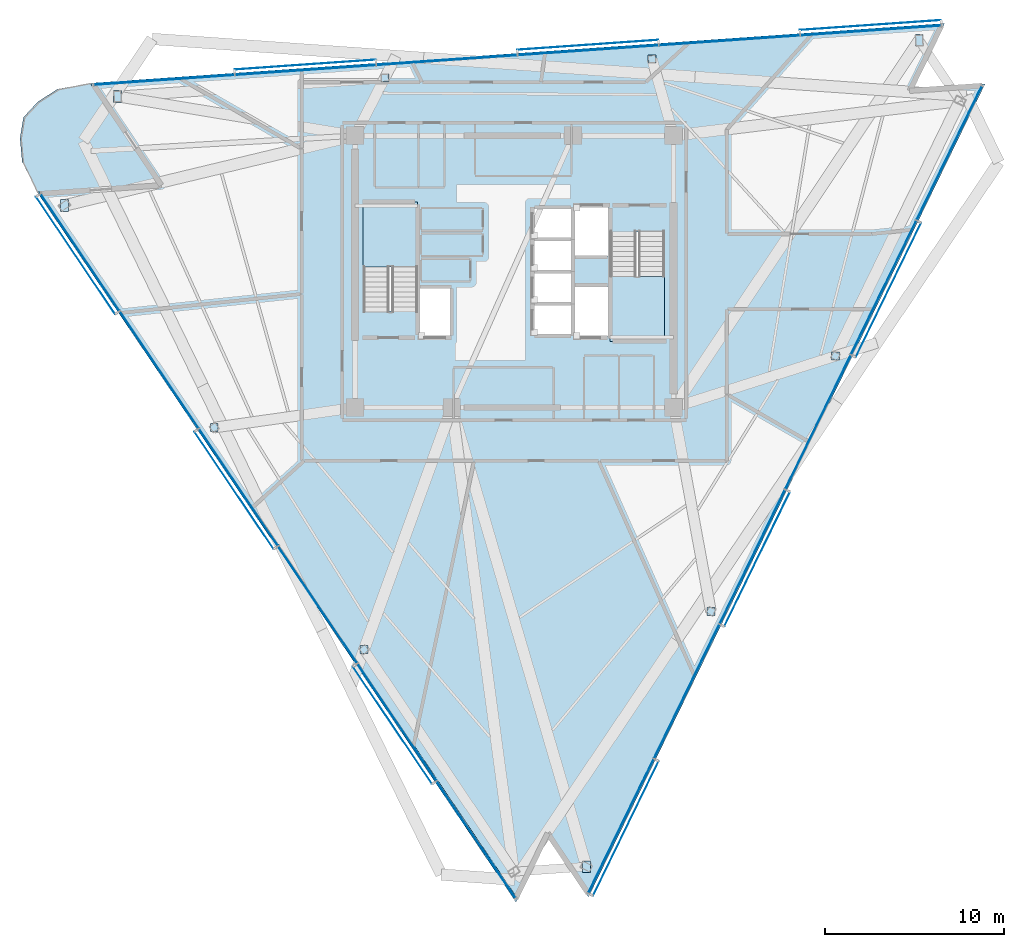
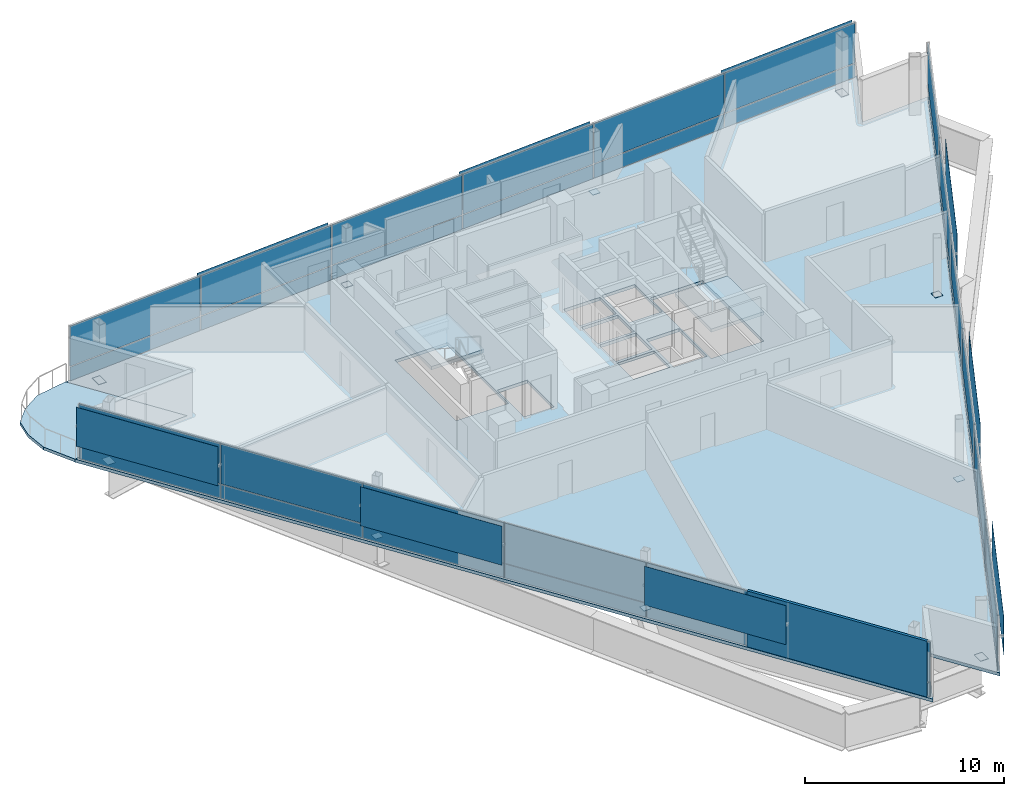
# One storey, part 9 of 17: 55 plates, 4 slabs, 1 wall, 5 elements without a shape of their own.
"""IFC4 building model written with IfcOpenShell, lengths in metres."""

from ifc_helpers import new_model, si_unit, direction, frame, frame_2d, origin, origin_2d, place, context, subcontext, project, spatial, polyline, rectangle, outline, extrude, material, layer, layer_set, type_object, element, aggregate, save


model = new_model("IFC4")

# Units and contexts
model_context = context("Model", 3, precision=1e-05, world=origin(), true_north=direction((0.0, 1.0)))
body_context = subcontext(model_context, "Body", "Model", "MODEL_VIEW")
ifc_project = project(units=[si_unit("LENGTHUNIT", "METRE"), si_unit("AREAUNIT", "SQUARE_METRE"), si_unit("VOLUMEUNIT", "CUBIC_METRE"), si_unit("PLANEANGLEUNIT", "RADIAN"), si_unit("MASSUNIT", "GRAM", prefix="KILO")], contexts=[model_context])

# Site, building, storey
site_placement = place(None, origin())
site = spatial("IfcSite", under=ifc_project, at=site_placement, CompositionType="ELEMENT")
building_placement = place(site_placement, origin())
building = spatial("IfcBuilding", under=site, at=building_placement, Name="Tharavind Bronze Gate", CompositionType="ELEMENT")
storey_placement = place(building_placement, frame((0.0, 0.0, 253.39990234375)))
storey = spatial("IfcBuildingStorey", under=building, at=storey_placement, Name="L65", CompositionType="ELEMENT", Elevation=253.39990234375)

# Plates
ifc_material_1 = material(Name="Perforated Bronze Alloy", Category="bronze")
ifc_layer_1 = layer(ifc_material_1, 0.011962890625)
ifc_layer_set_1 = layer_set([ifc_layer_1], Name="Perforated Bronze Alloy")
plate_type_1 = type_object("IfcPlateType", Name="BRONZE PERFORATED SOLAR SCREEN", PredefinedType="USERDEFINED", material=ifc_layer_set_1)
for number, where, z_axis, x_axis, name in (
    (1, (-24.528076171875, 0.904052734375, 0.966796875), (0.0, 0.0, 1.0), (0.559191456526, -0.82903854853, 0.0), "CW-L65-S1 perforated bronze solar screen 1"),
    (2, (-15.670166015625, -12.228515625, 0.966796875), (0.0, 0.0, 1.0), (0.559191456526, -0.82903854853, 0.0), "CW-L65-S1 perforated bronze solar screen 3"),
    (3, (-6.812255859375, -25.361083984375, 0.966796875), (0.0, 0.0, 1.0), (0.559191456526, -0.82903854853, 0.0), "CW-L65-S1 perforated bronze solar screen 5"),
):
    element("IfcPlate", number, at=place(storey_placement, frame(where, z_axis=z_axis, x_axis=x_axis)), inside=storey, type_object=plate_type_1, Name=name, ObjectType="SCREEN", PredefinedType="USERDEFINED", context=body_context, shape_type="SweptSolid", body=[
        extrude(rectangle(XDim=7.900390625, YDim=0.011962890625, at=origin_2d()), origin(), (0.0, 0.0, 1.0), 2.386962890625),
    ])
for number, where, z_axis, x_axis, name in (
    (4, (6.234130859375, -31.12841796875, 0.966796875), (0.0, 0.0, 1.0), (0.43837271548, 0.898793281196, 0.0), "CW-L65-S2 perforated bronze solar screen 1"),
    (5, (13.57470703125, -16.078369140625, 0.966796875), (0.0, 0.0, 1.0), (0.43837271548, 0.898793281196, 0.0), "CW-L65-S2 perforated bronze solar screen 3"),
    (6, (20.9150390625, -1.0283203125, 0.966796875), (0.0, 0.0, 1.0), (0.43837271548, 0.898793281196, 0.0), "CW-L65-S2 perforated bronze solar screen 5"),
):
    element("IfcPlate", number, at=place(storey_placement, frame(where, z_axis=z_axis, x_axis=x_axis)), inside=storey, type_object=plate_type_1, Name=name, ObjectType="SCREEN", PredefinedType="USERDEFINED", context=body_context, shape_type="SweptSolid", body=[
        extrude(rectangle(XDim=8.352294921875, YDim=0.011962890625, at=origin_2d()), origin(), (0.0, 0.0, 1.0), 2.386962890625),
    ])
for number, where, z_axis, x_axis, name in (
    (7, (19.909423828125, 13.779052734375, 0.966796875), (0.0, 0.0, 1.0), (-0.997563806758, -0.069759955899, 0.0), "CW-L65-S3 perforated bronze solar screen 1"),
    (8, (4.107421875, 12.674072265625, 0.966796875), (0.0, 0.0, 1.0), (-0.997563806758, -0.069759955899, 0.0), "CW-L65-S3 perforated bronze solar screen 3"),
    (9, (-11.69482421875, 11.569091796875, 0.966796875), (0.0, 0.0, 1.0), (-0.997563806758, -0.069759955899, 0.0), "CW-L65-S3 perforated bronze solar screen 5"),
):
    element("IfcPlate", number, at=place(storey_placement, frame(where, z_axis=z_axis, x_axis=x_axis)), inside=storey, type_object=plate_type_1, Name=name, ObjectType="SCREEN", PredefinedType="USERDEFINED", context=body_context, shape_type="SweptSolid", body=[
        extrude(rectangle(XDim=7.900390625, YDim=0.011962890625, at=origin_2d()), origin(), (0.0, 0.0, 1.0), 2.386962890625),
    ])

# Curtain wall, plates
ifc_material_2 = material(Name="Anodised Bronze Aluminium", Category="aluminium")
ifc_layer_2 = layer(ifc_material_2, 0.219970703125)
ifc_layer_set_2 = layer_set([ifc_layer_2], Name="Anodised Bronze Aluminium")
curtain_wall_type = type_object("IfcCurtainWallType", Name="UNITISED CURTAIN WALL UPPER OFFICE", PredefinedType="USERDEFINED", material=ifc_layer_set_2)
curtain_wall_1_placement = place(storey_placement, origin())
curtain_wall_1 = element("IfcCurtainWall", 10, at=curtain_wall_1_placement, inside=storey, type_object=curtain_wall_type, Name="L65 unitised curtain wall upper office CW-L65-S1", ObjectType="UNITISED CURTAIN WALL", PredefinedType="USERDEFINED")
ifc_material_3 = material(Name="Patinated Bronze Alloy Sheet", Category="bronze")
ifc_layer_3 = layer(ifc_material_3, 0.01611328125)
ifc_layer_set_3 = layer_set([ifc_layer_3], Name="Patinated Bronze Alloy Sheet")
plate_type_2 = type_object("IfcPlateType", Name="BRONZE SPANDREL CLADDING PANEL 16", PredefinedType="CURTAIN_PANEL", material=ifc_layer_set_3)
plate_1_placement = place(storey_placement, frame((-24.283447265625, 1.069091796875, 0.02685546875), z_axis=(0.0, 0.0, 1.0), x_axis=(0.559191456526, -0.82903854853, 0.0)))
plate_1 = element("IfcPlate", 11, at=plate_1_placement, type_object=plate_type_2, Name="CW-L65-S1 bronze spandrel panel 1", PredefinedType="CURTAIN_PANEL", context=body_context, shape_type="SweptSolid", body=[
    extrude(rectangle(XDim=7.8671875, YDim=0.01611328125, at=origin_2d()), origin(), (0.0, 0.0, 1.0), 0.846923828125),
])
plate_2_placement = place(storey_placement, frame((-19.8544921875, -5.497314453125, 0.02685546875), z_axis=(0.0, 0.0, 1.0), x_axis=(0.559191456526, -0.82903854853, 0.0)))
plate_2 = element("IfcPlate", 12, at=plate_2_placement, type_object=plate_type_2, Name="CW-L65-S1 bronze spandrel panel 2", PredefinedType="CURTAIN_PANEL", context=body_context, shape_type="SweptSolid", body=[
    extrude(rectangle(XDim=7.8671875, YDim=0.01611328125, at=origin_2d()), origin(), (0.0, 0.0, 1.0), 0.846923828125),
])
plate_3_placement = place(storey_placement, frame((-15.425537109375, -12.0634765625, 0.02685546875), z_axis=(0.0, 0.0, 1.0), x_axis=(0.559191456526, -0.82903854853, 0.0)))
plate_3 = element("IfcPlate", 13, at=plate_3_placement, type_object=plate_type_2, Name="CW-L65-S1 bronze spandrel panel 3", PredefinedType="CURTAIN_PANEL", context=body_context, shape_type="SweptSolid", body=[
    extrude(rectangle(XDim=7.8671875, YDim=0.01611328125, at=origin_2d()), origin(), (0.0, 0.0, 1.0), 0.846923828125),
])
plate_4_placement = place(storey_placement, frame((-10.99658203125, -18.629638671875, 0.02685546875), z_axis=(0.0, 0.0, 1.0), x_axis=(0.559191456526, -0.82903854853, 0.0)))
plate_4 = element("IfcPlate", 14, at=plate_4_placement, type_object=plate_type_2, Name="CW-L65-S1 bronze spandrel panel 4", PredefinedType="CURTAIN_PANEL", context=body_context, shape_type="SweptSolid", body=[
    extrude(rectangle(XDim=7.8671875, YDim=0.01611328125, at=origin_2d()), origin(), (0.0, 0.0, 1.0), 0.846923828125),
])
plate_5_placement = place(storey_placement, frame((-6.567626953125, -25.196044921875, 0.02685546875), z_axis=(0.0, 0.0, 1.0), x_axis=(0.559191456526, -0.82903854853, 0.0)))
plate_5 = element("IfcPlate", 15, at=plate_5_placement, type_object=plate_type_2, Name="CW-L65-S1 bronze spandrel panel 5", PredefinedType="CURTAIN_PANEL", context=body_context, shape_type="SweptSolid", body=[
    extrude(rectangle(XDim=7.8671875, YDim=0.01611328125, at=origin_2d()), origin(), (0.0, 0.0, 1.0), 0.846923828125),
])
plate_6_placement = place(storey_placement, frame((-2.138671875, -31.76220703125, 0.02685546875), z_axis=(0.0, 0.0, 1.0), x_axis=(0.559191456526, -0.82903854853, 0.0)))
plate_6 = element("IfcPlate", 16, at=plate_6_placement, type_object=plate_type_2, Name="CW-L65-S1 bronze spandrel panel 6", PredefinedType="CURTAIN_PANEL", context=body_context, shape_type="SweptSolid", body=[
    extrude(rectangle(XDim=7.8671875, YDim=0.01611328125, at=origin_2d()), origin(), (0.0, 0.0, 1.0), 0.846923828125),
])

curtain_wall_2_placement = place(storey_placement, origin())
curtain_wall_2 = element("IfcCurtainWall", 17, at=curtain_wall_2_placement, inside=storey, type_object=curtain_wall_type, Name="L65 unitised curtain wall upper office CW-L65-S2", ObjectType="UNITISED CURTAIN WALL", PredefinedType="USERDEFINED")
plate_7_placement = place(storey_placement, frame((5.968994140625, -30.9990234375, 0.02685546875), z_axis=(0.0, 0.0, 1.0), x_axis=(0.43837271548, 0.898793281196, 0.0)))
plate_7 = element("IfcPlate", 18, at=plate_7_placement, type_object=plate_type_2, Name="CW-L65-S2 bronze spandrel panel 1", PredefinedType="CURTAIN_PANEL", context=body_context, shape_type="SweptSolid", body=[
    extrude(rectangle(XDim=8.3193359375, YDim=0.01611328125, at=origin_2d()), origin(), (0.0, 0.0, 1.0), 0.846923828125),
])
plate_8_placement = place(storey_placement, frame((9.639404296875, -23.47412109375, 0.02685546875), z_axis=(0.0, 0.0, 1.0), x_axis=(0.43837271548, 0.898793281196, 0.0)))
plate_8 = element("IfcPlate", 19, at=plate_8_placement, type_object=plate_type_2, Name="CW-L65-S2 bronze spandrel panel 2", PredefinedType="CURTAIN_PANEL", context=body_context, shape_type="SweptSolid", body=[
    extrude(rectangle(XDim=8.3193359375, YDim=0.01611328125, at=origin_2d()), origin(), (0.0, 0.0, 1.0), 0.846923828125),
])
plate_9_placement = place(storey_placement, frame((13.3095703125, -15.94921875, 0.02685546875), z_axis=(0.0, 0.0, 1.0), x_axis=(0.43837271548, 0.898793281196, 0.0)))
plate_9 = element("IfcPlate", 20, at=plate_9_placement, type_object=plate_type_2, Name="CW-L65-S2 bronze spandrel panel 3", PredefinedType="CURTAIN_PANEL", context=body_context, shape_type="SweptSolid", body=[
    extrude(rectangle(XDim=8.3193359375, YDim=0.01611328125, at=origin_2d()), origin(), (0.0, 0.0, 1.0), 0.846923828125),
])
plate_10_placement = place(storey_placement, frame((16.979736328125, -8.424072265625, 0.02685546875), z_axis=(0.0, 0.0, 1.0), x_axis=(0.43837271548, 0.898793281196, 0.0)))
plate_10 = element("IfcPlate", 21, at=plate_10_placement, type_object=plate_type_2, Name="CW-L65-S2 bronze spandrel panel 4", PredefinedType="CURTAIN_PANEL", context=body_context, shape_type="SweptSolid", body=[
    extrude(rectangle(XDim=8.3193359375, YDim=0.01611328125, at=origin_2d()), origin(), (0.0, 0.0, 1.0), 0.846923828125),
])
plate_11_placement = place(storey_placement, frame((20.64990234375, -0.89892578125, 0.02685546875), z_axis=(0.0, 0.0, 1.0), x_axis=(0.43837271548, 0.898793281196, 0.0)))
plate_11 = element("IfcPlate", 22, at=plate_11_placement, type_object=plate_type_2, Name="CW-L65-S2 bronze spandrel panel 5", PredefinedType="CURTAIN_PANEL", context=body_context, shape_type="SweptSolid", body=[
    extrude(rectangle(XDim=8.3193359375, YDim=0.01611328125, at=origin_2d()), origin(), (0.0, 0.0, 1.0), 0.846923828125),
])
plate_12_placement = place(storey_placement, frame((24.3203125, 6.6259765625, 0.02685546875), z_axis=(0.0, 0.0, 1.0), x_axis=(0.43837271548, 0.898793281196, 0.0)))
plate_12 = element("IfcPlate", 23, at=plate_12_placement, type_object=plate_type_2, Name="CW-L65-S2 bronze spandrel panel 6", PredefinedType="CURTAIN_PANEL", context=body_context, shape_type="SweptSolid", body=[
    extrude(rectangle(XDim=8.3193359375, YDim=0.01611328125, at=origin_2d()), origin(), (0.0, 0.0, 1.0), 0.846923828125),
])

curtain_wall_3_placement = place(storey_placement, origin())
curtain_wall_3 = element("IfcCurtainWall", 24, at=curtain_wall_3_placement, inside=storey, type_object=curtain_wall_type, Name="L65 unitised curtain wall upper office CW-L65-S3", ObjectType="UNITISED CURTAIN WALL", PredefinedType="USERDEFINED")
plate_13_placement = place(storey_placement, frame((19.929931640625, 13.48486328125, 0.02685546875), z_axis=(0.0, 0.0, 1.0), x_axis=(-0.997563806758, -0.069759955899, 0.0)))
plate_13 = element("IfcPlate", 25, at=plate_13_placement, type_object=plate_type_2, Name="CW-L65-S3 bronze spandrel panel 1", PredefinedType="CURTAIN_PANEL", context=body_context, shape_type="SweptSolid", body=[
    extrude(rectangle(XDim=7.8671875, YDim=0.01611328125, at=origin_2d()), origin(), (0.0, 0.0, 1.0), 0.846923828125),
])
plate_14_placement = place(storey_placement, frame((12.02880859375, 12.932373046875, 0.02685546875), z_axis=(0.0, 0.0, 1.0), x_axis=(-0.997563806758, -0.069759955899, 0.0)))
plate_14 = element("IfcPlate", 26, at=plate_14_placement, type_object=plate_type_2, Name="CW-L65-S3 bronze spandrel panel 2", PredefinedType="CURTAIN_PANEL", context=body_context, shape_type="SweptSolid", body=[
    extrude(rectangle(XDim=7.8671875, YDim=0.01611328125, at=origin_2d()), origin(), (0.0, 0.0, 1.0), 0.846923828125),
])
plate_15_placement = place(storey_placement, frame((4.1279296875, 12.3798828125, 0.02685546875), z_axis=(0.0, 0.0, 1.0), x_axis=(-0.997563806758, -0.069759955899, 0.0)))
plate_15 = element("IfcPlate", 27, at=plate_15_placement, type_object=plate_type_2, Name="CW-L65-S3 bronze spandrel panel 3", PredefinedType="CURTAIN_PANEL", context=body_context, shape_type="SweptSolid", body=[
    extrude(rectangle(XDim=7.8671875, YDim=0.01611328125, at=origin_2d()), origin(), (0.0, 0.0, 1.0), 0.846923828125),
])
plate_16_placement = place(storey_placement, frame((-3.773193359375, 11.827392578125, 0.02685546875), z_axis=(0.0, 0.0, 1.0), x_axis=(-0.997563806758, -0.069759955899, 0.0)))
plate_16 = element("IfcPlate", 28, at=plate_16_placement, type_object=plate_type_2, Name="CW-L65-S3 bronze spandrel panel 4", PredefinedType="CURTAIN_PANEL", context=body_context, shape_type="SweptSolid", body=[
    extrude(rectangle(XDim=7.8671875, YDim=0.01611328125, at=origin_2d()), origin(), (0.0, 0.0, 1.0), 0.846923828125),
])
plate_17_placement = place(storey_placement, frame((-11.67431640625, 11.27490234375, 0.02685546875), z_axis=(0.0, 0.0, 1.0), x_axis=(-0.997563806758, -0.069759955899, 0.0)))
plate_17 = element("IfcPlate", 29, at=plate_17_placement, type_object=plate_type_2, Name="CW-L65-S3 bronze spandrel panel 5", PredefinedType="CURTAIN_PANEL", context=body_context, shape_type="SweptSolid", body=[
    extrude(rectangle(XDim=7.8671875, YDim=0.01611328125, at=origin_2d()), origin(), (0.0, 0.0, 1.0), 0.846923828125),
])
plate_18_placement = place(storey_placement, frame((-19.5751953125, 10.722412109375, 0.02685546875), z_axis=(0.0, 0.0, 1.0), x_axis=(-0.997563806758, -0.069759955899, 0.0)))
plate_18 = element("IfcPlate", 30, at=plate_18_placement, type_object=plate_type_2, Name="CW-L65-S3 bronze spandrel panel 6", PredefinedType="CURTAIN_PANEL", context=body_context, shape_type="SweptSolid", body=[
    extrude(rectangle(XDim=7.8671875, YDim=0.01611328125, at=origin_2d()), origin(), (0.0, 0.0, 1.0), 0.846923828125),
])

# Slab
ifc_material_4 = material(Name="Concrete C40/50", Category="concrete")
ifc_layer_4 = layer(ifc_material_4, 0.179931640625)
ifc_layer_set_4 = layer_set([ifc_layer_4], Name="Concrete C40/50")
slab_type_1 = type_object("IfcSlabType", Name="EXTERIOR BALCONY SLAB 180", PredefinedType="FLOOR", material=ifc_layer_set_4)
slab_1_placement = place(storey_placement, frame((0.0, 0.0, -0.179931640625)))
element("IfcSlab", 31, at=slab_1_placement, inside=storey, type_object=slab_type_1, Name="L65 northeast tree balcony slab", PredefinedType="FLOOR", context=body_context, shape_type="SweptSolid", body=[
    extrude(outline(polyline([(-25.535888671875, 10.203125), (-26.644287109375, 9.48681640625), (-27.443359375, 8.618896484375), (-27.63525390625, 7.455322265625), (-27.51708984375, 6.140625), (-26.677734375, 4.43994140625), (-19.914306640625, 4.912841796875), (-23.70556640625, 10.53369140625), (-25.535888671875, 10.203125)])), origin(), (0.0, 0.0, 1.0), 0.179931640625),
])

# Stair, slab
stair_type = type_object("IfcStairType", Name="CORE HALF TURN STAIR 1450", PredefinedType="HALF_TURN_STAIR", material=ifc_material_4)
stair_1_placement = place(storey_placement, origin())
stair_1 = element("IfcStair", 32, at=stair_1_placement, inside=storey, type_object=stair_type, Name="L65 Protected Exit Stair ST1", PredefinedType="HALF_TURN_STAIR")
ifc_layer_5 = layer(ifc_material_4, 0.199951171875)
ifc_layer_set_5 = layer_set([ifc_layer_5], Name="Concrete C40/50")
slab_type_2 = type_object("IfcSlabType", Name="STAIR LANDING SLAB 200", PredefinedType="LANDING", material=ifc_layer_set_5)
slab_2_placement = place(storey_placement, frame((0.0, 0.0, 1.60009765625)))
slab_2 = element("IfcSlab", 33, at=slab_2_placement, type_object=slab_type_2, Name="ST1 landing 1", PredefinedType="LANDING", context=body_context, shape_type="SweptSolid", body=[
    extrude(outline(polyline([(-5.39990234375, 0.27001953125), (-5.39990234375, 3.89990234375), (-8.449951171875, 3.89990234375), (-8.449951171875, 0.27001953125), (-5.39990234375, 0.27001953125)])), origin(), (0.0, 0.0, 1.0), 0.199951171875),
])
aggregate(stair_1, [slab_2])

stair_2_placement = place(storey_placement, origin())
stair_2 = element("IfcStair", 34, at=stair_2_placement, inside=storey, type_object=stair_type, Name="L65 Protected Exit Stair ST2", PredefinedType="HALF_TURN_STAIR")
slab_3_placement = place(storey_placement, frame((0.0, 0.0, 1.60009765625)))
slab_3 = element("IfcSlab", 35, at=slab_3_placement, type_object=slab_type_2, Name="ST2 landing 1", PredefinedType="LANDING", context=body_context, shape_type="SweptSolid", body=[
    extrude(outline(polyline([(5.35009765625, -0.27001953125), (5.35009765625, -3.89990234375), (8.39990234375, -3.89990234375), (8.39990234375, -0.27001953125), (5.35009765625, -0.27001953125)])), origin(), (0.0, 0.0, 1.0), 0.199951171875),
])
aggregate(stair_2, [slab_3])

# Plates
ifc_material_5 = material(Name="Steel S460", Category="steel")
ifc_layer_6 = layer(ifc_material_5, 0.02490234375)
ifc_layer_set_6 = layer_set([ifc_layer_6], Name="Steel S460")
plate_type_3 = type_object("IfcPlateType", Name="STEEL END CAP SHEET 25", PredefinedType="SHEET", material=ifc_layer_set_6)
plate_19_placement = place(storey_placement, frame((-25.14990234375, 3.694580078125, -0.202392578125), z_axis=(0.0, 0.0, 1.0), x_axis=(1.0, 0.0, 0.0)))
element("IfcPlate", 36, at=plate_19_placement, inside=storey, type_object=plate_type_3, Name="Steel end cap plate CAP-COLB-L65-S1C1", PredefinedType="SHEET", context=body_context, shape_type="SweptSolid", body=[
    extrude(rectangle(XDim=0.445068359375, YDim=0.64501953125, at=origin_2d()), origin(), (0.0, 0.0, 1.0), 0.02490234375),
])
for number, where, z_axis, x_axis, name in (
    (37, (-16.776123046875, -8.719970703125, -0.202392578125), (0.0, 0.0, 1.0), (1.0, 0.0, 0.0), "Steel end cap plate CAP-COLB-L65-S1C2"),
    (38, (-8.40234375, -21.134521484375, -0.012451171875), (0.0, 0.0, 1.0), (1.0, 0.0, 0.0), "Steel end cap plate CAP-COLB-L65-S1C3"),
):
    element("IfcPlate", number, at=place(storey_placement, frame(where, z_axis=z_axis, x_axis=x_axis)), inside=storey, type_object=plate_type_3, Name=name, PredefinedType="SHEET", context=body_context, shape_type="SweptSolid", body=[
        extrude(rectangle(XDim=0.445068359375, YDim=0.445068359375, at=origin_2d()), origin(), (0.0, 0.0, 1.0), 0.02490234375),
    ])
plate_20_placement = place(storey_placement, frame((4.029296875, -33.26513671875, -0.012451171875), z_axis=(0.0, 0.0, 1.0), x_axis=(1.0, 0.0, 0.0)))
element("IfcPlate", 39, at=plate_20_placement, inside=storey, type_object=plate_type_3, Name="Steel end cap plate CAP-COLB-L65-S2C1", PredefinedType="SHEET", context=body_context, shape_type="SweptSolid", body=[
    extrude(rectangle(XDim=0.445068359375, YDim=0.64501953125, at=origin_2d()), origin(), (0.0, 0.0, 1.0), 0.02490234375),
])
for number, where, z_axis, x_axis, name in (
    (40, (10.990234375, -18.99365234375, -0.202392578125), (0.0, 0.0, 1.0), (1.0, 0.0, 0.0), "Steel end cap plate CAP-COLB-L65-S2C2"),
    (41, (17.950927734375, -4.721923828125, -0.012451171875), (0.0, 0.0, 1.0), (1.0, 0.0, 0.0), "Steel end cap plate CAP-COLB-L65-S2C3"),
):
    element("IfcPlate", number, at=place(storey_placement, frame(where, z_axis=z_axis, x_axis=x_axis)), inside=storey, type_object=plate_type_3, Name=name, PredefinedType="SHEET", context=body_context, shape_type="SweptSolid", body=[
        extrude(rectangle(XDim=0.445068359375, YDim=0.445068359375, at=origin_2d()), origin(), (0.0, 0.0, 1.0), 0.02490234375),
    ])
plate_21_placement = place(storey_placement, frame((22.636962890625, 12.92236328125, -0.012451171875), z_axis=(0.0, 0.0, 1.0), x_axis=(1.0, 0.0, 0.0)))
element("IfcPlate", 42, at=plate_21_placement, inside=storey, type_object=plate_type_3, Name="Steel end cap plate CAP-COLB-L65-S3C1", PredefinedType="SHEET", context=body_context, shape_type="SweptSolid", body=[
    extrude(rectangle(XDim=0.445068359375, YDim=0.64501953125, at=origin_2d()), origin(), (0.0, 0.0, 1.0), 0.02490234375),
])
for number, where, z_axis, x_axis, name in (
    (43, (7.69873046875, 11.877685546875, -0.202392578125), (0.0, 0.0, 1.0), (1.0, 0.0, 0.0), "Steel end cap plate CAP-COLB-L65-S3C2"),
    (44, (-7.239501953125, 10.8330078125, -0.012451171875), (0.0, 0.0, 1.0), (1.0, 0.0, 0.0), "Steel end cap plate CAP-COLB-L65-S3C3"),
):
    element("IfcPlate", number, at=place(storey_placement, frame(where, z_axis=z_axis, x_axis=x_axis)), inside=storey, type_object=plate_type_3, Name=name, PredefinedType="SHEET", context=body_context, shape_type="SweptSolid", body=[
        extrude(rectangle(XDim=0.445068359375, YDim=0.445068359375, at=origin_2d()), origin(), (0.0, 0.0, 1.0), 0.02490234375),
    ])
plate_22_placement = place(storey_placement, frame((-22.177490234375, 9.78857421875, -0.012451171875), z_axis=(0.0, 0.0, 1.0), x_axis=(1.0, 0.0, 0.0)))
element("IfcPlate", 45, at=plate_22_placement, inside=storey, type_object=plate_type_3, Name="Steel end cap plate CAP-COLB-L65-S3C4", PredefinedType="SHEET", context=body_context, shape_type="SweptSolid", body=[
    extrude(rectangle(XDim=0.445068359375, YDim=0.64501953125, at=origin_2d()), origin(), (0.0, 0.0, 1.0), 0.02490234375),
])

# Slab
ifc_layer_7 = layer(ifc_material_4, 0.18994140625)
ifc_layer_set_7 = layer_set([ifc_layer_7], Name="Concrete C40/50")
slab_type_3 = type_object("IfcSlabType", Name="STRUCTURAL FLOOR SLAB 190", PredefinedType="FLOOR", material=ifc_layer_set_7)
slab_4_placement = place(storey_placement, frame((0.0, 0.0, -0.18994140625)))
element("IfcSlab", 46, at=slab_4_placement, inside=storey, type_object=slab_type_3, Name="L65 main structural floor slab", PredefinedType="FLOOR", context=body_context, shape_type="SweptSolid", body=[
    extrude(outline(polyline([(-23.70556640625, 10.53369140625), (-19.914306640625, 4.912841796875), (-26.677734375, 4.43994140625), (0.08984375, -35.244873046875), (1.873291015625, -31.588623046875), (4.14794921875, -34.961181640625), (26.321044921875, 10.500244140625), (22.262939453125, 10.216552734375), (24.04638671875, 13.872802734375), (-23.70556640625, 10.53369140625)]), holes=[polyline([(-5.39990234375, -2.215087890625), (-5.39990234375, 3.89990234375), (-8.449951171875, 3.89990234375), (-8.449951171875, -2.215087890625), (-5.39990234375, -2.215087890625)]), polyline([(5.35009765625, 2.215087890625), (5.35009765625, -3.89990234375), (8.39990234375, -3.89990234375), (8.39990234375, 2.215087890625), (5.35009765625, 2.215087890625)]), polyline([(1.080078125, -3.52001953125), (3.199951171875, -3.52001953125), (3.199951171875, -1.8798828125), (1.080078125, -1.8798828125), (1.080078125, -3.52001953125)]), polyline([(1.080078125, -1.719970703125), (3.199951171875, -1.719970703125), (3.199951171875, -0.080078125), (1.080078125, -0.080078125), (1.080078125, -1.719970703125)]), polyline([(1.080078125, 0.080078125), (3.199951171875, 0.080078125), (3.199951171875, 1.719970703125), (1.080078125, 1.719970703125), (1.080078125, 0.080078125)]), polyline([(1.080078125, 1.8798828125), (3.199951171875, 1.8798828125), (3.199951171875, 3.52001953125), (1.080078125, 3.52001953125), (1.080078125, 1.8798828125)]), polyline([(-5.320068359375, -3.6201171875), (-3.580078125, -3.6201171875), (-3.580078125, -0.929931640625), (-5.320068359375, -0.929931640625), (-5.320068359375, -3.6201171875)]), polyline([(3.360107421875, 0.8798828125), (5.27001953125, 0.8798828125), (5.27001953125, 3.6201171875), (3.360107421875, 3.6201171875), (3.360107421875, 0.8798828125)]), polyline([(3.360107421875, -3.6201171875), (5.27001953125, -3.6201171875), (5.27001953125, -0.830078125), (3.360107421875, -0.830078125), (3.360107421875, -3.6201171875)])]), origin(), (0.0, 0.0, 1.0), 0.18994140625),
])

# Plate
ifc_material_6 = material(Name="Triple Solar Control Glazing", Category="glass")
ifc_layer_8 = layer(ifc_material_6, 0.0439453125)
ifc_layer_set_8 = layer_set([ifc_layer_8], Name="Triple Solar Control Glazing")
plate_type_4 = type_object("IfcPlateType", Name="TRIPLE GLAZED FACADE PANEL 44", PredefinedType="CURTAIN_PANEL", material=ifc_layer_set_8)
plate_23_placement = place(storey_placement, frame((-24.283447265625, 1.069091796875, 0.9267578125), z_axis=(0.0, 0.0, 1.0), x_axis=(0.559191456526, -0.82903854853, 0.0)))
plate_23 = element("IfcPlate", 47, at=plate_23_placement, type_object=plate_type_4, Name="CW-L65-S1 vision glazing panel 1", PredefinedType="CURTAIN_PANEL", context=body_context, shape_type="SweptSolid", body=[
    extrude(rectangle(XDim=7.8671875, YDim=0.0439453125, at=origin_2d()), origin(), (0.0, 0.0, 1.0), 2.467041015625),
])

plate_24_placement = place(storey_placement, frame((-19.8544921875, -5.497314453125, 0.9267578125), z_axis=(0.0, 0.0, 1.0), x_axis=(0.559191456526, -0.82903854853, 0.0)))
plate_24 = element("IfcPlate", 48, at=plate_24_placement, type_object=plate_type_4, Name="CW-L65-S1 vision glazing panel 2", PredefinedType="CURTAIN_PANEL", context=body_context, shape_type="SweptSolid", body=[
    extrude(rectangle(XDim=7.8671875, YDim=0.0439453125, at=origin_2d()), origin(), (0.0, 0.0, 1.0), 2.467041015625),
])

plate_25_placement = place(storey_placement, frame((-15.425537109375, -12.0634765625, 0.9267578125), z_axis=(0.0, 0.0, 1.0), x_axis=(0.559191456526, -0.82903854853, 0.0)))
plate_25 = element("IfcPlate", 49, at=plate_25_placement, type_object=plate_type_4, Name="CW-L65-S1 vision glazing panel 3", PredefinedType="CURTAIN_PANEL", context=body_context, shape_type="SweptSolid", body=[
    extrude(rectangle(XDim=7.8671875, YDim=0.0439453125, at=origin_2d()), origin(), (0.0, 0.0, 1.0), 2.467041015625),
])

plate_26_placement = place(storey_placement, frame((-10.99658203125, -18.629638671875, 0.9267578125), z_axis=(0.0, 0.0, 1.0), x_axis=(0.559191456526, -0.82903854853, 0.0)))
plate_26 = element("IfcPlate", 50, at=plate_26_placement, type_object=plate_type_4, Name="CW-L65-S1 vision glazing panel 4", PredefinedType="CURTAIN_PANEL", context=body_context, shape_type="SweptSolid", body=[
    extrude(rectangle(XDim=7.8671875, YDim=0.0439453125, at=origin_2d()), origin(), (0.0, 0.0, 1.0), 2.467041015625),
])

plate_27_placement = place(storey_placement, frame((-6.567626953125, -25.196044921875, 0.9267578125), z_axis=(0.0, 0.0, 1.0), x_axis=(0.559191456526, -0.82903854853, 0.0)))
plate_27 = element("IfcPlate", 51, at=plate_27_placement, type_object=plate_type_4, Name="CW-L65-S1 vision glazing panel 5", PredefinedType="CURTAIN_PANEL", context=body_context, shape_type="SweptSolid", body=[
    extrude(rectangle(XDim=7.8671875, YDim=0.0439453125, at=origin_2d()), origin(), (0.0, 0.0, 1.0), 2.467041015625),
])

plate_28_placement = place(storey_placement, frame((-2.138671875, -31.76220703125, 0.9267578125), z_axis=(0.0, 0.0, 1.0), x_axis=(0.559191456526, -0.82903854853, 0.0)))
plate_28 = element("IfcPlate", 52, at=plate_28_placement, type_object=plate_type_4, Name="CW-L65-S1 vision glazing panel 6", PredefinedType="CURTAIN_PANEL", context=body_context, shape_type="SweptSolid", body=[
    extrude(rectangle(XDim=7.8671875, YDim=0.0439453125, at=origin_2d()), origin(), (0.0, 0.0, 1.0), 2.467041015625),
])

aggregate(curtain_wall_1, [plate_1, plate_23, plate_2, plate_24, plate_3, plate_25, plate_4, plate_26, plate_5, plate_27, plate_6, plate_28])

plate_29_placement = place(storey_placement, frame((5.968994140625, -30.9990234375, 0.9267578125), z_axis=(0.0, 0.0, 1.0), x_axis=(0.43837271548, 0.898793281196, 0.0)))
plate_29 = element("IfcPlate", 53, at=plate_29_placement, type_object=plate_type_4, Name="CW-L65-S2 vision glazing panel 1", PredefinedType="CURTAIN_PANEL", context=body_context, shape_type="SweptSolid", body=[
    extrude(rectangle(XDim=8.3193359375, YDim=0.0439453125, at=origin_2d()), origin(), (0.0, 0.0, 1.0), 2.467041015625),
])

plate_30_placement = place(storey_placement, frame((9.639404296875, -23.47412109375, 0.9267578125), z_axis=(0.0, 0.0, 1.0), x_axis=(0.43837271548, 0.898793281196, 0.0)))
plate_30 = element("IfcPlate", 54, at=plate_30_placement, type_object=plate_type_4, Name="CW-L65-S2 vision glazing panel 2", PredefinedType="CURTAIN_PANEL", context=body_context, shape_type="SweptSolid", body=[
    extrude(rectangle(XDim=8.3193359375, YDim=0.0439453125, at=origin_2d()), origin(), (0.0, 0.0, 1.0), 2.467041015625),
])

plate_31_placement = place(storey_placement, frame((13.3095703125, -15.94921875, 0.9267578125), z_axis=(0.0, 0.0, 1.0), x_axis=(0.43837271548, 0.898793281196, 0.0)))
plate_31 = element("IfcPlate", 55, at=plate_31_placement, type_object=plate_type_4, Name="CW-L65-S2 vision glazing panel 3", PredefinedType="CURTAIN_PANEL", context=body_context, shape_type="SweptSolid", body=[
    extrude(rectangle(XDim=8.3193359375, YDim=0.0439453125, at=origin_2d()), origin(), (0.0, 0.0, 1.0), 2.467041015625),
])

plate_32_placement = place(storey_placement, frame((16.979736328125, -8.424072265625, 0.9267578125), z_axis=(0.0, 0.0, 1.0), x_axis=(0.43837271548, 0.898793281196, 0.0)))
plate_32 = element("IfcPlate", 56, at=plate_32_placement, type_object=plate_type_4, Name="CW-L65-S2 vision glazing panel 4", PredefinedType="CURTAIN_PANEL", context=body_context, shape_type="SweptSolid", body=[
    extrude(rectangle(XDim=8.3193359375, YDim=0.0439453125, at=origin_2d()), origin(), (0.0, 0.0, 1.0), 2.467041015625),
])

plate_33_placement = place(storey_placement, frame((20.64990234375, -0.89892578125, 0.9267578125), z_axis=(0.0, 0.0, 1.0), x_axis=(0.43837271548, 0.898793281196, 0.0)))
plate_33 = element("IfcPlate", 57, at=plate_33_placement, type_object=plate_type_4, Name="CW-L65-S2 vision glazing panel 5", PredefinedType="CURTAIN_PANEL", context=body_context, shape_type="SweptSolid", body=[
    extrude(rectangle(XDim=8.3193359375, YDim=0.0439453125, at=origin_2d()), origin(), (0.0, 0.0, 1.0), 2.467041015625),
])

plate_34_placement = place(storey_placement, frame((24.3203125, 6.6259765625, 0.9267578125), z_axis=(0.0, 0.0, 1.0), x_axis=(0.43837271548, 0.898793281196, 0.0)))
plate_34 = element("IfcPlate", 58, at=plate_34_placement, type_object=plate_type_4, Name="CW-L65-S2 vision glazing panel 6", PredefinedType="CURTAIN_PANEL", context=body_context, shape_type="SweptSolid", body=[
    extrude(rectangle(XDim=8.3193359375, YDim=0.0439453125, at=origin_2d()), origin(), (0.0, 0.0, 1.0), 2.467041015625),
])

aggregate(curtain_wall_2, [plate_7, plate_29, plate_8, plate_30, plate_9, plate_31, plate_10, plate_32, plate_11, plate_33, plate_12, plate_34])

plate_35_placement = place(storey_placement, frame((19.929931640625, 13.48486328125, 0.9267578125), z_axis=(0.0, 0.0, 1.0), x_axis=(-0.997563806758, -0.069759955899, 0.0)))
plate_35 = element("IfcPlate", 59, at=plate_35_placement, type_object=plate_type_4, Name="CW-L65-S3 vision glazing panel 1", PredefinedType="CURTAIN_PANEL", context=body_context, shape_type="SweptSolid", body=[
    extrude(rectangle(XDim=7.8671875, YDim=0.0439453125, at=origin_2d()), origin(), (0.0, 0.0, 1.0), 2.467041015625),
])

plate_36_placement = place(storey_placement, frame((12.02880859375, 12.932373046875, 0.9267578125), z_axis=(0.0, 0.0, 1.0), x_axis=(-0.997563806758, -0.069759955899, 0.0)))
plate_36 = element("IfcPlate", 60, at=plate_36_placement, type_object=plate_type_4, Name="CW-L65-S3 vision glazing panel 2", PredefinedType="CURTAIN_PANEL", context=body_context, shape_type="SweptSolid", body=[
    extrude(rectangle(XDim=7.8671875, YDim=0.0439453125, at=origin_2d()), origin(), (0.0, 0.0, 1.0), 2.467041015625),
])

plate_37_placement = place(storey_placement, frame((4.1279296875, 12.3798828125, 0.9267578125), z_axis=(0.0, 0.0, 1.0), x_axis=(-0.997563806758, -0.069759955899, 0.0)))
plate_37 = element("IfcPlate", 61, at=plate_37_placement, type_object=plate_type_4, Name="CW-L65-S3 vision glazing panel 3", PredefinedType="CURTAIN_PANEL", context=body_context, shape_type="SweptSolid", body=[
    extrude(rectangle(XDim=7.8671875, YDim=0.0439453125, at=origin_2d()), origin(), (0.0, 0.0, 1.0), 2.467041015625),
])

plate_38_placement = place(storey_placement, frame((-3.773193359375, 11.827392578125, 0.9267578125), z_axis=(0.0, 0.0, 1.0), x_axis=(-0.997563806758, -0.069759955899, 0.0)))
plate_38 = element("IfcPlate", 62, at=plate_38_placement, type_object=plate_type_4, Name="CW-L65-S3 vision glazing panel 4", PredefinedType="CURTAIN_PANEL", context=body_context, shape_type="SweptSolid", body=[
    extrude(rectangle(XDim=7.8671875, YDim=0.0439453125, at=origin_2d()), origin(), (0.0, 0.0, 1.0), 2.467041015625),
])

plate_39_placement = place(storey_placement, frame((-11.67431640625, 11.27490234375, 0.9267578125), z_axis=(0.0, 0.0, 1.0), x_axis=(-0.997563806758, -0.069759955899, 0.0)))
plate_39 = element("IfcPlate", 63, at=plate_39_placement, type_object=plate_type_4, Name="CW-L65-S3 vision glazing panel 5", PredefinedType="CURTAIN_PANEL", context=body_context, shape_type="SweptSolid", body=[
    extrude(rectangle(XDim=7.8671875, YDim=0.0439453125, at=origin_2d()), origin(), (0.0, 0.0, 1.0), 2.467041015625),
])

plate_40_placement = place(storey_placement, frame((-19.5751953125, 10.722412109375, 0.9267578125), z_axis=(0.0, 0.0, 1.0), x_axis=(-0.997563806758, -0.069759955899, 0.0)))
plate_40 = element("IfcPlate", 64, at=plate_40_placement, type_object=plate_type_4, Name="CW-L65-S3 vision glazing panel 6", PredefinedType="CURTAIN_PANEL", context=body_context, shape_type="SweptSolid", body=[
    extrude(rectangle(XDim=7.8671875, YDim=0.0439453125, at=origin_2d()), origin(), (0.0, 0.0, 1.0), 2.467041015625),
])

aggregate(curtain_wall_3, [plate_13, plate_35, plate_14, plate_36, plate_15, plate_37, plate_16, plate_38, plate_17, plate_39, plate_18, plate_40])

# Wall
ifc_material_7 = material(Name="Twin Stud Acoustic Gypsum", Category="gypsum")
ifc_layer_9 = layer(ifc_material_7, 0.14990234375)
ifc_layer_set_9 = layer_set([ifc_layer_9], Name="Twin Stud Acoustic Gypsum")
wall_type = type_object("IfcWallType", Name="INTERIOR PARTITION WALL 150", PredefinedType="PARTITIONING", material=ifc_layer_set_9)
wall_placement = place(storey_placement, frame((-0.024169921875, -34.89697265625, 0.0), z_axis=(0.0, 0.0, 1.0), x_axis=(-0.559196847428, 0.829034912309, 0.0)))
element("IfcWall", 65, at=wall_placement, inside=storey, type_object=wall_type, Name="L65 Public Restrooms Block partition", PredefinedType="PARTITIONING", context=body_context, shape_type="SweptSolid", body=[
    extrude(rectangle(XDim=10.04296875, YDim=0.14990234375, at=frame_2d((5.021484375, 0.0))), origin(), (0.0, 0.0, 1.0), 3.420166015625),
])

save(model, "model.ifc")
